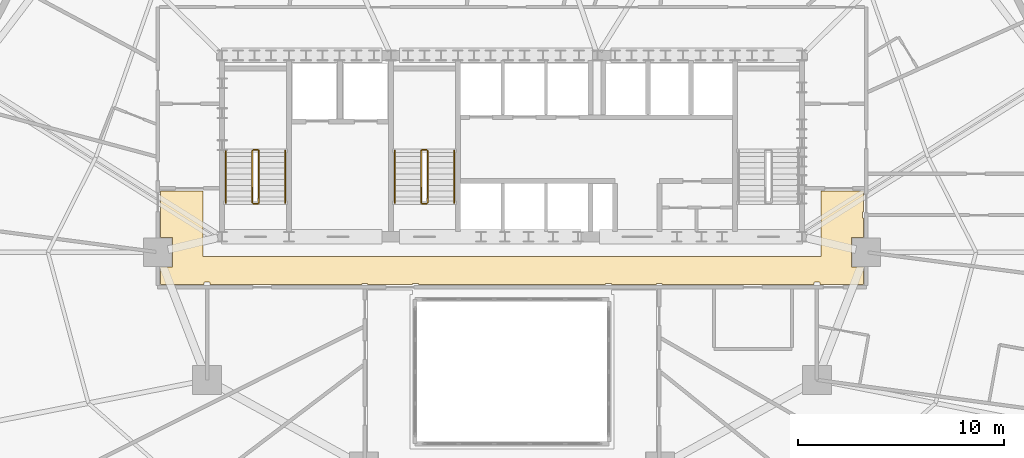
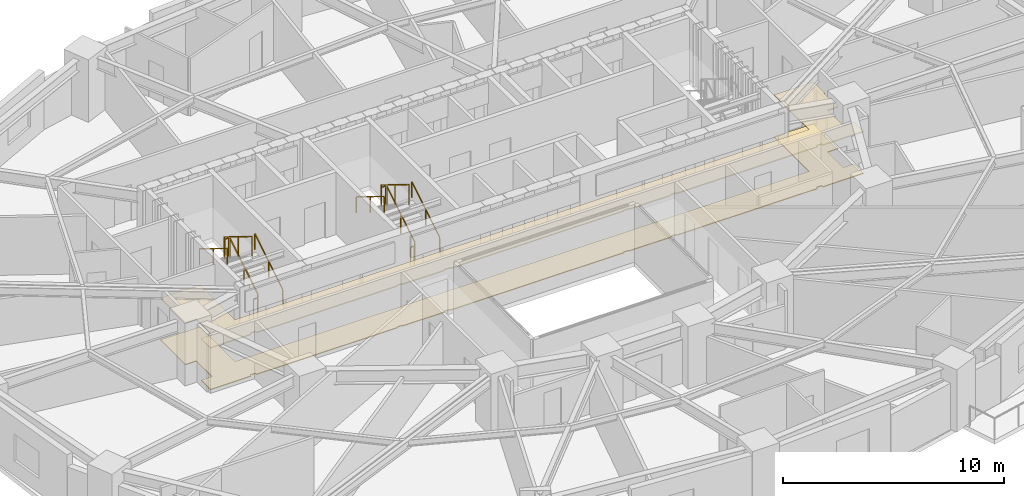
# One storey, part 14 of 15: 12 railings, 2 coverings.
"""IFC4 building model written with IfcOpenShell, lengths in metres."""

from ifc_helpers import new_model, si_unit, direction, frame, origin, origin_2d, place, context, subcontext, project, spatial, polyline, rectangle, outline, extrude, material, layer, layer_set, type_object, element, save


model = new_model("IFC4")

# Units and contexts
model_context = context("Model", 3, precision=1e-05, world=origin(), true_north=direction((0.0, 1.0)))
body_context = subcontext(model_context, "Body", "Model", "MODEL_VIEW")
ifc_project = project(units=[si_unit("LENGTHUNIT", "METRE"), si_unit("AREAUNIT", "SQUARE_METRE"), si_unit("VOLUMEUNIT", "CUBIC_METRE"), si_unit("PLANEANGLEUNIT", "RADIAN"), si_unit("MASSUNIT", "GRAM", prefix="KILO")], contexts=[model_context])

# Site, building, storey
site_placement = place(None, origin())
site = spatial("IfcSite", under=ifc_project, at=site_placement, CompositionType="ELEMENT")
building_placement = place(site_placement, origin())
building = spatial("IfcBuilding", under=site, at=building_placement, Name="Haldorwick Loom Tower", CompositionType="ELEMENT")
storey_placement = place(building_placement, frame((0.0, 0.0, 81.800048828125)))
storey = spatial("IfcBuildingStorey", under=building, at=storey_placement, Name="L21", CompositionType="ELEMENT", Elevation=81.800048828125)

# Coverings
ifc_material_1 = material(Name="Mineral Fibre Acoustic Ceiling Tile")
ifc_layer_1 = layer(ifc_material_1, 0.054931640625, Name="Mineral Fibre Acoustic Ceiling Tile")
ifc_layer_set_1 = layer_set([ifc_layer_1], Name="Mineral Fibre Acoustic Ceiling Tile")
covering_type_1 = type_object("IfcCoveringType", Name="ARC-COV-CEIL2", PredefinedType="CEILING", material=ifc_layer_set_1)
covering_1_placement = place(storey_placement, frame((0.0, 0.0, 2.302001953125)))
element("IfcCovering", 1, at=covering_1_placement, inside=storey, type_object=covering_type_1, Name="L21 Acoustic Suspended Ceiling 2", PredefinedType="CEILING", context=body_context, shape_type="SweptSolid", body=[
    extrude(outline(polyline([(51.0, 28.9599609375), (51.0, 25.800048828125), (21.0, 25.800048828125), (21.0, 28.9599609375), (18.93994140625, 28.9599609375), (18.93994140625, 26.7080078125), (19.508056640625, 26.7080078125), (19.508056640625, 25.2919921875), (18.93994140625, 25.2919921875), (18.93994140625, 24.43994140625), (21.06005859375, 24.43994140625), (21.06005859375, 24.52001953125), (21.06005859375, 24.52197265625), (21.060302734375, 24.52392578125), (21.060791015625, 24.52587890625), (21.0615234375, 24.527587890625), (21.0625, 24.529296875), (21.0634765625, 24.531005859375), (21.064453125, 24.53271484375), (21.06591796875, 24.5341796875), (21.0673828125, 24.535400390625), (21.06884765625, 24.53662109375), (21.070556640625, 24.53759765625), (21.072265625, 24.53857421875), (21.07421875, 24.5390625), (21.076171875, 24.53955078125), (21.077880859375, 24.539794921875), (21.080078125, 24.5400390625), (21.320068359375, 24.5400390625), (21.322021484375, 24.539794921875), (21.323974609375, 24.53955078125), (21.32568359375, 24.5390625), (21.32763671875, 24.53857421875), (21.329345703125, 24.53759765625), (21.3310546875, 24.53662109375), (21.332763671875, 24.535400390625), (21.333984375, 24.5341796875), (21.33544921875, 24.53271484375), (21.336669921875, 24.531005859375), (21.337646484375, 24.529296875), (21.33837890625, 24.527587890625), (21.339111328125, 24.52587890625), (21.339599609375, 24.52392578125), (21.33984375, 24.52197265625), (21.340087890625, 24.52001953125), (21.340087890625, 24.43994140625), (28.7099609375, 24.43994140625), (28.7099609375, 24.469970703125), (28.710205078125, 24.471923828125), (28.71044921875, 24.473876953125), (28.7109375, 24.475830078125), (28.71142578125, 24.477783203125), (28.71240234375, 24.4794921875), (28.71337890625, 24.481201171875), (28.714599609375, 24.482666015625), (28.7158203125, 24.484130859375), (28.71728515625, 24.485595703125), (28.718994140625, 24.486572265625), (28.720703125, 24.487548828125), (28.722412109375, 24.488525390625), (28.72412109375, 24.489013671875), (28.72607421875, 24.489501953125), (28.72802734375, 24.489990234375), (28.72998046875, 24.489990234375), (28.969970703125, 24.489990234375), (28.971923828125, 24.489990234375), (28.973876953125, 24.489501953125), (28.975830078125, 24.489013671875), (28.977783203125, 24.488525390625), (28.9794921875, 24.487548828125), (28.981201171875, 24.486572265625), (28.982666015625, 24.485595703125), (28.984130859375, 24.484130859375), (28.985595703125, 24.482666015625), (28.986572265625, 24.481201171875), (28.987548828125, 24.4794921875), (28.988525390625, 24.477783203125), (28.989013671875, 24.475830078125), (28.989501953125, 24.473876953125), (28.989990234375, 24.471923828125), (28.989990234375, 24.469970703125), (28.989990234375, 24.43994140625), (31.179931640625, 24.43994140625), (31.179931640625, 24.469970703125), (31.18017578125, 24.471923828125), (31.180419921875, 24.473876953125), (31.180908203125, 24.475830078125), (31.181396484375, 24.477783203125), (31.182373046875, 24.4794921875), (31.183349609375, 24.481201171875), (31.1845703125, 24.482666015625), (31.185791015625, 24.484130859375), (31.187255859375, 24.485595703125), (31.18896484375, 24.486572265625), (31.190673828125, 24.487548828125), (31.1923828125, 24.488525390625), (31.194091796875, 24.489013671875), (31.196044921875, 24.489501953125), (31.197998046875, 24.489990234375), (31.199951171875, 24.489990234375), (31.43994140625, 24.489990234375), (31.44189453125, 24.489990234375), (31.44384765625, 24.489501953125), (31.44580078125, 24.489013671875), (31.44775390625, 24.488525390625), (31.449462890625, 24.487548828125), (31.451171875, 24.486572265625), (31.45263671875, 24.485595703125), (31.4541015625, 24.484130859375), (31.45556640625, 24.482666015625), (31.45654296875, 24.481201171875), (31.45751953125, 24.4794921875), (31.45849609375, 24.477783203125), (31.458984375, 24.475830078125), (31.459716796875, 24.473876953125), (31.4599609375, 24.471923828125), (31.4599609375, 24.469970703125), (31.4599609375, 24.43994140625), (40.5400390625, 24.43994140625), (40.5400390625, 24.469970703125), (40.5400390625, 24.471923828125), (40.540283203125, 24.473876953125), (40.541015625, 24.475830078125), (40.54150390625, 24.477783203125), (40.54248046875, 24.4794921875), (40.54345703125, 24.481201171875), (40.54443359375, 24.482666015625), (40.5458984375, 24.484130859375), (40.54736328125, 24.485595703125), (40.548828125, 24.486572265625), (40.550537109375, 24.487548828125), (40.55224609375, 24.488525390625), (40.55419921875, 24.489013671875), (40.55615234375, 24.489501953125), (40.55810546875, 24.489990234375), (40.56005859375, 24.489990234375), (40.800048828125, 24.489990234375), (40.802001953125, 24.489990234375), (40.803955078125, 24.489501953125), (40.805908203125, 24.489013671875), (40.8076171875, 24.488525390625), (40.809326171875, 24.487548828125), (40.81103515625, 24.486572265625), (40.812744140625, 24.485595703125), (40.814208984375, 24.484130859375), (40.8154296875, 24.482666015625), (40.816650390625, 24.481201171875), (40.817626953125, 24.4794921875), (40.818603515625, 24.477783203125), (40.819091796875, 24.475830078125), (40.819580078125, 24.473876953125), (40.81982421875, 24.471923828125), (40.820068359375, 24.469970703125), (40.820068359375, 24.43994140625), (43.010009765625, 24.43994140625), (43.010009765625, 24.469970703125), (43.010009765625, 24.471923828125), (43.010498046875, 24.473876953125), (43.010986328125, 24.475830078125), (43.011474609375, 24.477783203125), (43.012451171875, 24.4794921875), (43.013427734375, 24.481201171875), (43.014404296875, 24.482666015625), (43.015869140625, 24.484130859375), (43.017333984375, 24.485595703125), (43.018798828125, 24.486572265625), (43.0205078125, 24.487548828125), (43.022216796875, 24.488525390625), (43.024169921875, 24.489013671875), (43.026123046875, 24.489501953125), (43.028076171875, 24.489990234375), (43.030029296875, 24.489990234375), (43.27001953125, 24.489990234375), (43.27197265625, 24.489990234375), (43.27392578125, 24.489501953125), (43.27587890625, 24.489013671875), (43.277587890625, 24.488525390625), (43.279296875, 24.487548828125), (43.281005859375, 24.486572265625), (43.28271484375, 24.485595703125), (43.2841796875, 24.484130859375), (43.285400390625, 24.482666015625), (43.28662109375, 24.481201171875), (43.28759765625, 24.4794921875), (43.28857421875, 24.477783203125), (43.2890625, 24.475830078125), (43.28955078125, 24.473876953125), (43.289794921875, 24.471923828125), (43.2900390625, 24.469970703125), (43.2900390625, 24.43994140625), (50.659912109375, 24.43994140625), (50.659912109375, 24.52001953125), (50.66015625, 24.52197265625), (50.660400390625, 24.52392578125), (50.660888671875, 24.52587890625), (50.66162109375, 24.527587890625), (50.662353515625, 24.529296875), (50.663330078125, 24.531005859375), (50.66455078125, 24.53271484375), (50.666015625, 24.5341796875), (50.667236328125, 24.535400390625), (50.6689453125, 24.53662109375), (50.670654296875, 24.53759765625), (50.67236328125, 24.53857421875), (50.67431640625, 24.5390625), (50.676025390625, 24.53955078125), (50.677978515625, 24.539794921875), (50.679931640625, 24.5400390625), (50.919921875, 24.5400390625), (50.922119140625, 24.539794921875), (50.923828125, 24.53955078125), (50.92578125, 24.5390625), (50.927734375, 24.53857421875), (50.929443359375, 24.53759765625), (50.93115234375, 24.53662109375), (50.9326171875, 24.535400390625), (50.93408203125, 24.5341796875), (50.935546875, 24.53271484375), (50.9365234375, 24.531005859375), (50.9375, 24.529296875), (50.9384765625, 24.527587890625), (50.939208984375, 24.52587890625), (50.939697265625, 24.52392578125), (50.93994140625, 24.52197265625), (50.93994140625, 24.52001953125), (50.93994140625, 24.43994140625), (53.06005859375, 24.43994140625), (53.06005859375, 25.2919921875), (52.491943359375, 25.2919921875), (52.491943359375, 26.7080078125), (53.06005859375, 26.7080078125), (53.06005859375, 27.659912109375), (53.030029296875, 27.659912109375), (53.028076171875, 27.66015625), (53.026123046875, 27.660400390625), (53.024169921875, 27.660888671875), (53.022216796875, 27.66162109375), (53.0205078125, 27.662353515625), (53.018798828125, 27.663330078125), (53.017333984375, 27.66455078125), (53.015869140625, 27.666015625), (53.014404296875, 27.667236328125), (53.013427734375, 27.6689453125), (53.012451171875, 27.670654296875), (53.011474609375, 27.67236328125), (53.010986328125, 27.67431640625), (53.010498046875, 27.676025390625), (53.010009765625, 27.677978515625), (53.010009765625, 27.679931640625), (53.010009765625, 27.919921875), (53.010009765625, 27.922119140625), (53.010498046875, 27.923828125), (53.010986328125, 27.92578125), (53.011474609375, 27.927734375), (53.012451171875, 27.929443359375), (53.013427734375, 27.93115234375), (53.014404296875, 27.9326171875), (53.015869140625, 27.93408203125), (53.017333984375, 27.935546875), (53.018798828125, 27.9365234375), (53.0205078125, 27.9375), (53.022216796875, 27.9384765625), (53.024169921875, 27.939208984375), (53.026123046875, 27.939697265625), (53.028076171875, 27.93994140625), (53.030029296875, 27.93994140625), (53.06005859375, 27.93994140625), (53.06005859375, 28.9599609375), (51.0, 28.9599609375)])), origin(), (0.0, 0.0, 1.0), 0.054931640625),
])
ifc_material_2 = material(Name="Polished Aggregate Terrazzo Finish")
ifc_layer_2 = layer(ifc_material_2, 0.044921875, Name="Polished Aggregate Terrazzo Finish")
ifc_layer_set_2 = layer_set([ifc_layer_2], Name="Polished Aggregate Terrazzo Finish")
covering_type_2 = type_object("IfcCoveringType", Name="ARC-COV-FLOOR2", PredefinedType="FLOORING", material=ifc_layer_set_2)
covering_2_placement = place(storey_placement, origin())
element("IfcCovering", 2, at=covering_2_placement, inside=storey, type_object=covering_type_2, Name="L21 Floor Finish 2", PredefinedType="FLOORING", context=body_context, shape_type="SweptSolid", body=[
    extrude(outline(polyline([(51.0, 28.9599609375), (51.0, 25.800048828125), (21.0, 25.800048828125), (21.0, 28.9599609375), (18.93994140625, 28.9599609375), (18.93994140625, 26.7080078125), (19.508056640625, 26.7080078125), (19.508056640625, 25.2919921875), (18.93994140625, 25.2919921875), (18.93994140625, 24.43994140625), (21.06005859375, 24.43994140625), (21.06005859375, 24.52001953125), (21.06005859375, 24.52197265625), (21.060302734375, 24.52392578125), (21.060791015625, 24.52587890625), (21.0615234375, 24.527587890625), (21.0625, 24.529296875), (21.0634765625, 24.531005859375), (21.064453125, 24.53271484375), (21.06591796875, 24.5341796875), (21.0673828125, 24.535400390625), (21.06884765625, 24.53662109375), (21.070556640625, 24.53759765625), (21.072265625, 24.53857421875), (21.07421875, 24.5390625), (21.076171875, 24.53955078125), (21.077880859375, 24.539794921875), (21.080078125, 24.5400390625), (21.320068359375, 24.5400390625), (21.322021484375, 24.539794921875), (21.323974609375, 24.53955078125), (21.32568359375, 24.5390625), (21.32763671875, 24.53857421875), (21.329345703125, 24.53759765625), (21.3310546875, 24.53662109375), (21.332763671875, 24.535400390625), (21.333984375, 24.5341796875), (21.33544921875, 24.53271484375), (21.336669921875, 24.531005859375), (21.337646484375, 24.529296875), (21.33837890625, 24.527587890625), (21.339111328125, 24.52587890625), (21.339599609375, 24.52392578125), (21.33984375, 24.52197265625), (21.340087890625, 24.52001953125), (21.340087890625, 24.43994140625), (28.7099609375, 24.43994140625), (28.7099609375, 24.469970703125), (28.710205078125, 24.471923828125), (28.71044921875, 24.473876953125), (28.7109375, 24.475830078125), (28.71142578125, 24.477783203125), (28.71240234375, 24.4794921875), (28.71337890625, 24.481201171875), (28.714599609375, 24.482666015625), (28.7158203125, 24.484130859375), (28.71728515625, 24.485595703125), (28.718994140625, 24.486572265625), (28.720703125, 24.487548828125), (28.722412109375, 24.488525390625), (28.72412109375, 24.489013671875), (28.72607421875, 24.489501953125), (28.72802734375, 24.489990234375), (28.72998046875, 24.489990234375), (28.969970703125, 24.489990234375), (28.971923828125, 24.489990234375), (28.973876953125, 24.489501953125), (28.975830078125, 24.489013671875), (28.977783203125, 24.488525390625), (28.9794921875, 24.487548828125), (28.981201171875, 24.486572265625), (28.982666015625, 24.485595703125), (28.984130859375, 24.484130859375), (28.985595703125, 24.482666015625), (28.986572265625, 24.481201171875), (28.987548828125, 24.4794921875), (28.988525390625, 24.477783203125), (28.989013671875, 24.475830078125), (28.989501953125, 24.473876953125), (28.989990234375, 24.471923828125), (28.989990234375, 24.469970703125), (28.989990234375, 24.43994140625), (31.179931640625, 24.43994140625), (31.179931640625, 24.469970703125), (31.18017578125, 24.471923828125), (31.180419921875, 24.473876953125), (31.180908203125, 24.475830078125), (31.181396484375, 24.477783203125), (31.182373046875, 24.4794921875), (31.183349609375, 24.481201171875), (31.1845703125, 24.482666015625), (31.185791015625, 24.484130859375), (31.187255859375, 24.485595703125), (31.18896484375, 24.486572265625), (31.190673828125, 24.487548828125), (31.1923828125, 24.488525390625), (31.194091796875, 24.489013671875), (31.196044921875, 24.489501953125), (31.197998046875, 24.489990234375), (31.199951171875, 24.489990234375), (31.43994140625, 24.489990234375), (31.44189453125, 24.489990234375), (31.44384765625, 24.489501953125), (31.44580078125, 24.489013671875), (31.44775390625, 24.488525390625), (31.449462890625, 24.487548828125), (31.451171875, 24.486572265625), (31.45263671875, 24.485595703125), (31.4541015625, 24.484130859375), (31.45556640625, 24.482666015625), (31.45654296875, 24.481201171875), (31.45751953125, 24.4794921875), (31.45849609375, 24.477783203125), (31.458984375, 24.475830078125), (31.459716796875, 24.473876953125), (31.4599609375, 24.471923828125), (31.4599609375, 24.469970703125), (31.4599609375, 24.43994140625), (40.5400390625, 24.43994140625), (40.5400390625, 24.469970703125), (40.5400390625, 24.471923828125), (40.540283203125, 24.473876953125), (40.541015625, 24.475830078125), (40.54150390625, 24.477783203125), (40.54248046875, 24.4794921875), (40.54345703125, 24.481201171875), (40.54443359375, 24.482666015625), (40.5458984375, 24.484130859375), (40.54736328125, 24.485595703125), (40.548828125, 24.486572265625), (40.550537109375, 24.487548828125), (40.55224609375, 24.488525390625), (40.55419921875, 24.489013671875), (40.55615234375, 24.489501953125), (40.55810546875, 24.489990234375), (40.56005859375, 24.489990234375), (40.800048828125, 24.489990234375), (40.802001953125, 24.489990234375), (40.803955078125, 24.489501953125), (40.805908203125, 24.489013671875), (40.8076171875, 24.488525390625), (40.809326171875, 24.487548828125), (40.81103515625, 24.486572265625), (40.812744140625, 24.485595703125), (40.814208984375, 24.484130859375), (40.8154296875, 24.482666015625), (40.816650390625, 24.481201171875), (40.817626953125, 24.4794921875), (40.818603515625, 24.477783203125), (40.819091796875, 24.475830078125), (40.819580078125, 24.473876953125), (40.81982421875, 24.471923828125), (40.820068359375, 24.469970703125), (40.820068359375, 24.43994140625), (43.010009765625, 24.43994140625), (43.010009765625, 24.469970703125), (43.010009765625, 24.471923828125), (43.010498046875, 24.473876953125), (43.010986328125, 24.475830078125), (43.011474609375, 24.477783203125), (43.012451171875, 24.4794921875), (43.013427734375, 24.481201171875), (43.014404296875, 24.482666015625), (43.015869140625, 24.484130859375), (43.017333984375, 24.485595703125), (43.018798828125, 24.486572265625), (43.0205078125, 24.487548828125), (43.022216796875, 24.488525390625), (43.024169921875, 24.489013671875), (43.026123046875, 24.489501953125), (43.028076171875, 24.489990234375), (43.030029296875, 24.489990234375), (43.27001953125, 24.489990234375), (43.27197265625, 24.489990234375), (43.27392578125, 24.489501953125), (43.27587890625, 24.489013671875), (43.277587890625, 24.488525390625), (43.279296875, 24.487548828125), (43.281005859375, 24.486572265625), (43.28271484375, 24.485595703125), (43.2841796875, 24.484130859375), (43.285400390625, 24.482666015625), (43.28662109375, 24.481201171875), (43.28759765625, 24.4794921875), (43.28857421875, 24.477783203125), (43.2890625, 24.475830078125), (43.28955078125, 24.473876953125), (43.289794921875, 24.471923828125), (43.2900390625, 24.469970703125), (43.2900390625, 24.43994140625), (50.659912109375, 24.43994140625), (50.659912109375, 24.52001953125), (50.66015625, 24.52197265625), (50.660400390625, 24.52392578125), (50.660888671875, 24.52587890625), (50.66162109375, 24.527587890625), (50.662353515625, 24.529296875), (50.663330078125, 24.531005859375), (50.66455078125, 24.53271484375), (50.666015625, 24.5341796875), (50.667236328125, 24.535400390625), (50.6689453125, 24.53662109375), (50.670654296875, 24.53759765625), (50.67236328125, 24.53857421875), (50.67431640625, 24.5390625), (50.676025390625, 24.53955078125), (50.677978515625, 24.539794921875), (50.679931640625, 24.5400390625), (50.919921875, 24.5400390625), (50.922119140625, 24.539794921875), (50.923828125, 24.53955078125), (50.92578125, 24.5390625), (50.927734375, 24.53857421875), (50.929443359375, 24.53759765625), (50.93115234375, 24.53662109375), (50.9326171875, 24.535400390625), (50.93408203125, 24.5341796875), (50.935546875, 24.53271484375), (50.9365234375, 24.531005859375), (50.9375, 24.529296875), (50.9384765625, 24.527587890625), (50.939208984375, 24.52587890625), (50.939697265625, 24.52392578125), (50.93994140625, 24.52197265625), (50.93994140625, 24.52001953125), (50.93994140625, 24.43994140625), (53.06005859375, 24.43994140625), (53.06005859375, 25.2919921875), (52.491943359375, 25.2919921875), (52.491943359375, 26.7080078125), (53.06005859375, 26.7080078125), (53.06005859375, 27.659912109375), (53.030029296875, 27.659912109375), (53.028076171875, 27.66015625), (53.026123046875, 27.660400390625), (53.024169921875, 27.660888671875), (53.022216796875, 27.66162109375), (53.0205078125, 27.662353515625), (53.018798828125, 27.663330078125), (53.017333984375, 27.66455078125), (53.015869140625, 27.666015625), (53.014404296875, 27.667236328125), (53.013427734375, 27.6689453125), (53.012451171875, 27.670654296875), (53.011474609375, 27.67236328125), (53.010986328125, 27.67431640625), (53.010498046875, 27.676025390625), (53.010009765625, 27.677978515625), (53.010009765625, 27.679931640625), (53.010009765625, 27.919921875), (53.010009765625, 27.922119140625), (53.010498046875, 27.923828125), (53.010986328125, 27.92578125), (53.011474609375, 27.927734375), (53.012451171875, 27.929443359375), (53.013427734375, 27.93115234375), (53.014404296875, 27.9326171875), (53.015869140625, 27.93408203125), (53.017333984375, 27.935546875), (53.018798828125, 27.9365234375), (53.0205078125, 27.9375), (53.022216796875, 27.9384765625), (53.024169921875, 27.939208984375), (53.026123046875, 27.939697265625), (53.028076171875, 27.93994140625), (53.030029296875, 27.93994140625), (53.06005859375, 27.93994140625), (53.06005859375, 28.9599609375), (51.0, 28.9599609375)])), origin(), (0.0, 0.0, 1.0), 0.044921875),
])

# Railings
ifc_material_3 = material(Name="Steel CSA G40.21 350W", Category="steel")
railing_type_1 = type_object("IfcRailingType", Name="ARC-RLG-GUARD112", PredefinedType="GUARDRAIL", material=ifc_material_3)
railing_1_placement = place(storey_placement, frame((23.699951171875, 28.39990234375, 0.17236328125)))
element("IfcRailing", 3, at=railing_1_placement, inside=storey, type_object=railing_type_1, Name="L21 ST-01 stair guard 1", PredefinedType="GUARDRAIL", context=body_context, shape_type="SweptSolid", body=[
    extrude(rectangle(XDim=0.048095703125, YDim=0.048095703125, at=origin_2d()), frame((0.0, 0.0, 1.076171875), z_axis=(0.0, 0.851400495292, 0.524516154772), x_axis=(-1.0, 0.0, 0.0)), (0.0, 0.0, 1.0), 2.9599609375),
    extrude(rectangle(XDim=0.0419921875, YDim=0.0419921875, at=origin_2d()), origin(), (0.0, 0.0, 1.0), 1.052001953125),
    extrude(rectangle(XDim=0.0419921875, YDim=0.0419921875, at=origin_2d()), frame((0.0, 1.260009765625, 0.7763671875)), (0.0, 0.0, 1.0), 1.052001953125),
    extrude(rectangle(XDim=0.0419921875, YDim=0.0419921875, at=origin_2d()), frame((0.0, 2.52001953125, 1.552490234375)), (0.0, 0.0, 1.0), 1.052001953125),
])
railing_2_placement = place(storey_placement, frame((23.64990234375, 30.969970703125, 1.724853515625)))
element("IfcRailing", 4, at=railing_2_placement, inside=storey, type_object=railing_type_1, Name="L21 ST-01 stair guard 2", PredefinedType="GUARDRAIL", context=body_context, shape_type="SweptSolid", body=[
    extrude(rectangle(XDim=0.048095703125, YDim=0.048095703125, at=origin_2d()), frame((0.0, 0.0, 1.076171875), z_axis=(-1.0, 0.0, 0.0), x_axis=(0.0, -1.0, 0.0)), (0.0, 0.0, 1.0), 0.199951171875),
    extrude(rectangle(XDim=0.0419921875, YDim=0.0419921875, at=origin_2d()), origin(), (0.0, 0.0, 1.0), 1.052001953125),
    extrude(rectangle(XDim=0.0419921875, YDim=0.0419921875, at=origin_2d()), frame((-0.199951171875, 0.0, 0.0)), (0.0, 0.0, 1.0), 1.052001953125),
])
railing_3_placement = place(storey_placement, frame((23.39990234375, 30.919921875, 1.8974609375)))
element("IfcRailing", 5, at=railing_3_placement, inside=storey, type_object=railing_type_1, Name="L21 ST-01 stair guard 3", PredefinedType="GUARDRAIL", context=body_context, shape_type="SweptSolid", body=[
    extrude(rectangle(XDim=0.048095703125, YDim=0.048095703125, at=origin_2d()), frame((0.0, 0.0, 1.076171875), z_axis=(0.0, -0.851400495292, 0.524516154772), x_axis=(1.0, 0.0, 0.0)), (0.0, 0.0, 1.0), 2.9599609375),
    extrude(rectangle(XDim=0.0419921875, YDim=0.0419921875, at=origin_2d()), origin(), (0.0, 0.0, 1.0), 1.052001953125),
    extrude(rectangle(XDim=0.0419921875, YDim=0.0419921875, at=origin_2d()), frame((0.0, -1.260009765625, 0.7763671875)), (0.0, 0.0, 1.0), 1.052001953125),
    extrude(rectangle(XDim=0.0419921875, YDim=0.0419921875, at=origin_2d()), frame((0.0, -2.52001953125, 1.552490234375)), (0.0, 0.0, 1.0), 1.052001953125),
])
railing_4_placement = place(storey_placement, frame((23.64990234375, 28.35009765625, 0.0)))
element("IfcRailing", 6, at=railing_4_placement, inside=storey, type_object=railing_type_1, Name="L21 ST-01 stair guard 4", PredefinedType="GUARDRAIL", context=body_context, shape_type="SweptSolid", body=[
    extrude(rectangle(XDim=0.048095703125, YDim=0.048095703125, at=origin_2d()), frame((0.0, 0.0, 1.076171875), z_axis=(-1.0, 0.0, 0.0), x_axis=(0.0, -1.0, 0.0)), (0.0, 0.0, 1.0), 0.199951171875),
    extrude(rectangle(XDim=0.0419921875, YDim=0.0419921875, at=origin_2d()), origin(), (0.0, 0.0, 1.0), 1.052001953125),
    extrude(rectangle(XDim=0.0419921875, YDim=0.0419921875, at=origin_2d()), frame((-0.199951171875, 0.0, 0.0)), (0.0, 0.0, 1.0), 1.052001953125),
])
railing_5_placement = place(storey_placement, frame((31.89990234375, 28.39990234375, 0.17236328125)))
element("IfcRailing", 7, at=railing_5_placement, inside=storey, type_object=railing_type_1, Name="L21 ST-03 stair guard 1", PredefinedType="GUARDRAIL", context=body_context, shape_type="SweptSolid", body=[
    extrude(rectangle(XDim=0.048095703125, YDim=0.048095703125, at=origin_2d()), frame((0.0, 0.0, 1.076171875), z_axis=(0.0, 0.851400495292, 0.524516154772), x_axis=(-1.0, 0.0, 0.0)), (0.0, 0.0, 1.0), 2.9599609375),
    extrude(rectangle(XDim=0.0419921875, YDim=0.0419921875, at=origin_2d()), origin(), (0.0, 0.0, 1.0), 1.052001953125),
    extrude(rectangle(XDim=0.0419921875, YDim=0.0419921875, at=origin_2d()), frame((0.0, 1.260009765625, 0.7763671875)), (0.0, 0.0, 1.0), 1.052001953125),
    extrude(rectangle(XDim=0.0419921875, YDim=0.0419921875, at=origin_2d()), frame((0.0, 2.52001953125, 1.552490234375)), (0.0, 0.0, 1.0), 1.052001953125),
])
railing_6_placement = place(storey_placement, frame((31.85009765625, 30.969970703125, 1.724853515625)))
element("IfcRailing", 8, at=railing_6_placement, inside=storey, type_object=railing_type_1, Name="L21 ST-03 stair guard 2", PredefinedType="GUARDRAIL", context=body_context, shape_type="SweptSolid", body=[
    extrude(rectangle(XDim=0.048095703125, YDim=0.048095703125, at=origin_2d()), frame((0.0, 0.0, 1.076171875), z_axis=(-1.0, 0.0, 0.0), x_axis=(0.0, -1.0, 0.0)), (0.0, 0.0, 1.0), 0.2001953125),
    extrude(rectangle(XDim=0.0419921875, YDim=0.0419921875, at=origin_2d()), origin(), (0.0, 0.0, 1.0), 1.052001953125),
    extrude(rectangle(XDim=0.0419921875, YDim=0.0419921875, at=origin_2d()), frame((-0.2001953125, 0.0, 0.0)), (0.0, 0.0, 1.0), 1.052001953125),
])
railing_7_placement = place(storey_placement, frame((31.60009765625, 30.919921875, 1.8974609375)))
element("IfcRailing", 9, at=railing_7_placement, inside=storey, type_object=railing_type_1, Name="L21 ST-03 stair guard 3", PredefinedType="GUARDRAIL", context=body_context, shape_type="SweptSolid", body=[
    extrude(rectangle(XDim=0.048095703125, YDim=0.048095703125, at=origin_2d()), frame((0.0, 0.0, 1.076171875), z_axis=(0.0, -0.851400495292, 0.524516154772), x_axis=(1.0, 0.0, 0.0)), (0.0, 0.0, 1.0), 2.9599609375),
    extrude(rectangle(XDim=0.0419921875, YDim=0.0419921875, at=origin_2d()), origin(), (0.0, 0.0, 1.0), 1.052001953125),
    extrude(rectangle(XDim=0.0419921875, YDim=0.0419921875, at=origin_2d()), frame((0.0, -1.260009765625, 0.7763671875)), (0.0, 0.0, 1.0), 1.052001953125),
    extrude(rectangle(XDim=0.0419921875, YDim=0.0419921875, at=origin_2d()), frame((0.0, -2.52001953125, 1.552490234375)), (0.0, 0.0, 1.0), 1.052001953125),
])
railing_8_placement = place(storey_placement, frame((31.85009765625, 28.35009765625, 0.0)))
element("IfcRailing", 10, at=railing_8_placement, inside=storey, type_object=railing_type_1, Name="L21 ST-03 stair guard 4", PredefinedType="GUARDRAIL", context=body_context, shape_type="SweptSolid", body=[
    extrude(rectangle(XDim=0.048095703125, YDim=0.048095703125, at=origin_2d()), frame((0.0, 0.0, 1.076171875), z_axis=(-1.0, 0.0, 0.0), x_axis=(0.0, -1.0, 0.0)), (0.0, 0.0, 1.0), 0.2001953125),
    extrude(rectangle(XDim=0.0419921875, YDim=0.0419921875, at=origin_2d()), origin(), (0.0, 0.0, 1.0), 1.052001953125),
    extrude(rectangle(XDim=0.0419921875, YDim=0.0419921875, at=origin_2d()), frame((-0.2001953125, 0.0, 0.0)), (0.0, 0.0, 1.0), 1.052001953125),
])
railing_type_2 = type_object("IfcRailingType", Name="ARC-RLG-HAND092", PredefinedType="HANDRAIL", material=ifc_material_3)
railing_9_placement = place(storey_placement, frame((25.0, 28.39990234375, 0.17236328125)))
element("IfcRailing", 11, at=railing_9_placement, inside=storey, type_object=railing_type_2, Name="L21 ST-01 stair handrail 1", PredefinedType="HANDRAIL", context=body_context, shape_type="SweptSolid", body=[
    extrude(rectangle(XDim=0.048095703125, YDim=0.048095703125, at=origin_2d()), frame((0.0, 0.0, 0.8759765625), z_axis=(0.0, 0.851400495292, 0.524516154772), x_axis=(-1.0, 0.0, 0.0)), (0.0, 0.0, 1.0), 2.9599609375),
    extrude(rectangle(XDim=0.0419921875, YDim=0.0419921875, at=origin_2d()), origin(), (0.0, 0.0, 1.0), 0.851806640625),
    extrude(rectangle(XDim=0.0419921875, YDim=0.0419921875, at=origin_2d()), frame((0.0, 1.260009765625, 0.7763671875)), (0.0, 0.0, 1.0), 0.851806640625),
    extrude(rectangle(XDim=0.0419921875, YDim=0.0419921875, at=origin_2d()), frame((0.0, 2.52001953125, 1.552490234375)), (0.0, 0.0, 1.0), 0.851806640625),
])
railing_10_placement = place(storey_placement, frame((22.10009765625, 30.919921875, 1.8974609375)))
element("IfcRailing", 12, at=railing_10_placement, inside=storey, type_object=railing_type_2, Name="L21 ST-01 stair handrail 2", PredefinedType="HANDRAIL", context=body_context, shape_type="SweptSolid", body=[
    extrude(rectangle(XDim=0.048095703125, YDim=0.048095703125, at=origin_2d()), frame((0.0, 0.0, 0.8759765625), z_axis=(0.0, -0.851400495292, 0.524516154772), x_axis=(1.0, 0.0, 0.0)), (0.0, 0.0, 1.0), 2.9599609375),
    extrude(rectangle(XDim=0.0419921875, YDim=0.0419921875, at=origin_2d()), origin(), (0.0, 0.0, 1.0), 0.851806640625),
    extrude(rectangle(XDim=0.0419921875, YDim=0.0419921875, at=origin_2d()), frame((0.0, -1.260009765625, 0.7763671875)), (0.0, 0.0, 1.0), 0.851806640625),
    extrude(rectangle(XDim=0.0419921875, YDim=0.0419921875, at=origin_2d()), frame((0.0, -2.52001953125, 1.552490234375)), (0.0, 0.0, 1.0), 0.851806640625),
])
railing_11_placement = place(storey_placement, frame((33.199951171875, 28.39990234375, 0.17236328125)))
element("IfcRailing", 13, at=railing_11_placement, inside=storey, type_object=railing_type_2, Name="L21 ST-03 stair handrail 1", PredefinedType="HANDRAIL", context=body_context, shape_type="SweptSolid", body=[
    extrude(rectangle(XDim=0.048095703125, YDim=0.048095703125, at=origin_2d()), frame((0.0, 0.0, 0.8759765625), z_axis=(0.0, 0.851400495292, 0.524516154772), x_axis=(-1.0, 0.0, 0.0)), (0.0, 0.0, 1.0), 2.9599609375),
    extrude(rectangle(XDim=0.0419921875, YDim=0.0419921875, at=origin_2d()), origin(), (0.0, 0.0, 1.0), 0.851806640625),
    extrude(rectangle(XDim=0.0419921875, YDim=0.0419921875, at=origin_2d()), frame((0.0, 1.260009765625, 0.7763671875)), (0.0, 0.0, 1.0), 0.851806640625),
    extrude(rectangle(XDim=0.0419921875, YDim=0.0419921875, at=origin_2d()), frame((0.0, 2.52001953125, 1.552490234375)), (0.0, 0.0, 1.0), 0.851806640625),
])
railing_12_placement = place(storey_placement, frame((30.300048828125, 30.919921875, 1.8974609375)))
element("IfcRailing", 14, at=railing_12_placement, inside=storey, type_object=railing_type_2, Name="L21 ST-03 stair handrail 2", PredefinedType="HANDRAIL", context=body_context, shape_type="SweptSolid", body=[
    extrude(rectangle(XDim=0.048095703125, YDim=0.048095703125, at=origin_2d()), frame((0.0, 0.0, 0.8759765625), z_axis=(0.0, -0.851400495292, 0.524516154772), x_axis=(1.0, 0.0, 0.0)), (0.0, 0.0, 1.0), 2.9599609375),
    extrude(rectangle(XDim=0.0419921875, YDim=0.0419921875, at=origin_2d()), origin(), (0.0, 0.0, 1.0), 0.851806640625),
    extrude(rectangle(XDim=0.0419921875, YDim=0.0419921875, at=origin_2d()), frame((0.0, -1.260009765625, 0.7763671875)), (0.0, 0.0, 1.0), 0.851806640625),
    extrude(rectangle(XDim=0.0419921875, YDim=0.0419921875, at=origin_2d()), frame((0.0, -2.52001953125, 1.552490234375)), (0.0, 0.0, 1.0), 0.851806640625),
])

save(model, "model.ifc")
